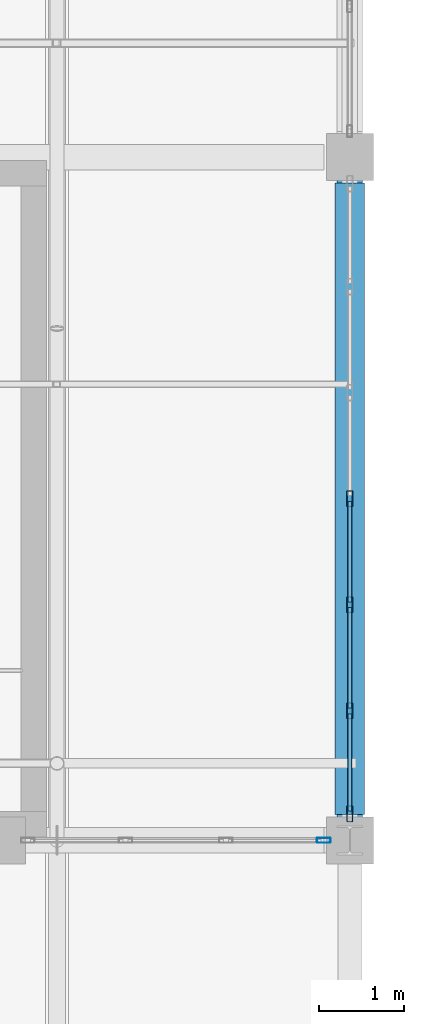
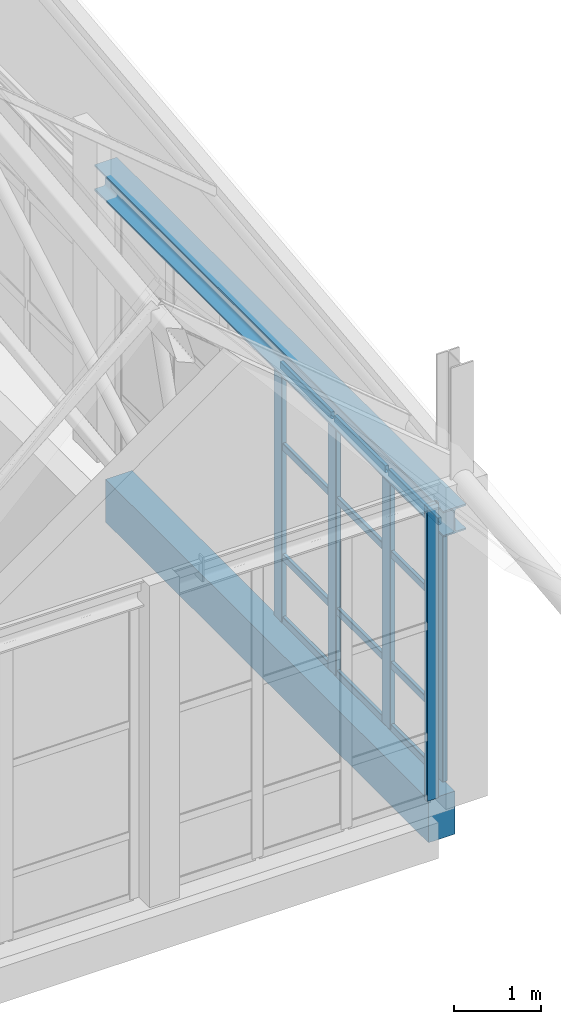
# One storey, part 85 of 183: 17 members, 2 beams, 2 elements without a shape of their own.
"""IFC4 building model written with IfcOpenShell, lengths in metres."""

from ifc_helpers import new_model, si_unit, direction, frame, origin, origin_2d, place, context, subcontext, project, spatial, rectangle, hollow_rectangle, i_section, extrude, material, material_profile, profile_set, type_object, element, aggregate, save


model = new_model("IFC4")

# Units and contexts
model_context = context("Model", 3, precision=1e-05, world=origin(), true_north=direction((0.0, 1.0)))
body_context = subcontext(model_context, "Body", "Model", "MODEL_VIEW")
ifc_project = project(units=[si_unit("LENGTHUNIT", "METRE"), si_unit("AREAUNIT", "SQUARE_METRE"), si_unit("VOLUMEUNIT", "CUBIC_METRE"), si_unit("PLANEANGLEUNIT", "RADIAN"), si_unit("MASSUNIT", "GRAM", prefix="KILO")], contexts=[model_context])

# Site, building, storey
site_placement = place(None, origin())
site = spatial("IfcSite", under=ifc_project, at=site_placement, CompositionType="ELEMENT")
building_placement = place(site_placement, origin())
building = spatial("IfcBuilding", under=site, at=building_placement, Name="Luwemba Playhouse", CompositionType="ELEMENT")
storey_placement = place(building_placement, frame((0.0, 0.0, 4.800048828125)))
storey = spatial("IfcBuildingStorey", under=building, at=storey_placement, Name="L01", CompositionType="ELEMENT", Elevation=4.800048828125)

# Beams
ifc_material_1 = material(Name="Steel S355", Category="steel")
ifc_material_profile_1 = material_profile(ifc_material_1, i_section(OverallWidth=0.300048828125, OverallDepth=0.360107421875, WebThickness=0.012451171875, FlangeThickness=0.0224609375, FilletRadius=0.027099609375, at=origin_2d()))
ifc_profile_set_1 = profile_set([ifc_material_profile_1], Name="Steel S355")
beam_type_1 = type_object("IfcBeamType", Name="BM-SB09", PredefinedType="BEAM", material=ifc_profile_set_1)
beam_1_placement = place(storey_placement, frame((172.0, 3.0, 3.780029296875), z_axis=(0.0, 1.0, 0.0), x_axis=(-1.0, 0.0, 0.0)))
element("IfcBeam", 1, at=beam_1_placement, inside=storey, type_object=beam_type_1, Name="RF-V5E gable ring beam 0306", PredefinedType="BEAM", context=body_context, shape_type="SweptSolid", body=[
    extrude(i_section(OverallWidth=0.300048828125, OverallDepth=0.360107421875, WebThickness=0.012451171875, FlangeThickness=0.0224609375, FilletRadius=0.027099609375, at=origin_2d()), origin(), (0.0, 0.0, 1.0), 8.0),
])
ifc_material_2 = material(Name="Concrete C40/50", Category="concrete")
ifc_material_profile_2 = material_profile(ifc_material_2, rectangle(XDim=0.35009765625, YDim=0.60009765625, at=origin_2d()))
ifc_profile_set_2 = profile_set([ifc_material_profile_2], Name="Concrete C40/50")
beam_type_2 = type_object("IfcBeamType", Name="BM-SP3", PredefinedType="SPANDREL", material=ifc_profile_set_2)
beam_2_placement = place(storey_placement, frame((172.0, 3.300048828125, -0.550048828125), z_axis=(0.0, 1.0, 0.0), x_axis=(-1.0, 0.0, 0.0)))
element("IfcBeam", 2, at=beam_2_placement, inside=storey, type_object=beam_type_2, Name="L01 transverse girder 0561", PredefinedType="SPANDREL", context=body_context, shape_type="SweptSolid", body=[
    extrude(rectangle(XDim=0.35009765625, YDim=0.60009765625, at=origin_2d()), origin(), (0.0, 0.0, 1.0), 7.39990234375),
])

# Curtain wall, member
ifc_material_3 = material(Name="Solar-control double glazing", Category="glass")
curtain_wall_type_1 = type_object("IfcCurtainWallType", Name="CW-CW128", PredefinedType="USERDEFINED", material=ifc_material_3)
curtain_wall_1_placement = place(storey_placement, origin())
curtain_wall_1 = element("IfcCurtainWall", 3, at=curtain_wall_1_placement, inside=storey, type_object=curtain_wall_type_1, Name="L01 V5E unitised curtain wall 170", ObjectType="UNITISED GLAZING", PredefinedType="USERDEFINED")
ifc_material_4 = material(Name="Aluminium 6063-T6", Category="aluminium")
ifc_material_profile_3 = material_profile(ifc_material_4, hollow_rectangle(XDim=0.06005859375, YDim=0.159912109375, WallThickness=0.00390625, InnerFilletRadius=0.006103515625, OuterFilletRadius=0.010009765625, at=origin_2d()))
ifc_profile_set_3 = profile_set([ifc_material_profile_3], Name="Aluminium 6063-T6")
member_type_1 = type_object("IfcMemberType", Name="CWM-M1", PredefinedType="MULLION", material=ifc_profile_set_3)
member_1_placement = place(storey_placement, frame((171.695068359375, 3.0, 0.0), z_axis=(0.0, 0.0, 1.0), x_axis=(0.0, -1.0, 0.0)))
member_1 = element("IfcMember", 4, at=member_1_placement, type_object=member_type_1, Name="CW128 mullion 1", PredefinedType="MULLION", context=body_context, shape_type="SweptSolid", body=[
    extrude(hollow_rectangle(XDim=0.06005859375, YDim=0.159912109375, WallThickness=0.00390625, InnerFilletRadius=0.006103515625, OuterFilletRadius=0.010009765625, at=origin_2d()), origin(), (0.0, 0.0, 1.0), 4.125),
])
aggregate(curtain_wall_1, [member_1])

# Curtain wall, members
curtain_wall_type_2 = type_object("IfcCurtainWallType", Name="CW-CW131", PredefinedType="USERDEFINED", material=ifc_material_3)
curtain_wall_2_placement = place(storey_placement, origin())
curtain_wall_2 = element("IfcCurtainWall", 5, at=curtain_wall_2_placement, inside=storey, type_object=curtain_wall_type_2, Name="L01 V5E unitised curtain wall 169", ObjectType="UNITISED GLAZING", PredefinedType="USERDEFINED")
ifc_material_profile_4 = material_profile(ifc_material_4, hollow_rectangle(XDim=0.070068359375, YDim=0.18994140625, WallThickness=0.0048828125, InnerFilletRadius=0.007568359375, OuterFilletRadius=0.012451171875, at=origin_2d()))
ifc_profile_set_4 = profile_set([ifc_material_profile_4], Name="Aluminium 6063-T6")
member_type_2 = type_object("IfcMemberType", Name="CWM-M4", PredefinedType="MULLION", material=ifc_profile_set_4)
member_2_placement = place(storey_placement, frame((172.0, 7.0, 0.0), z_axis=(0.0, 0.0, 1.0), x_axis=(1.0, 0.0, 0.0)))
member_2 = element("IfcMember", 6, at=member_2_placement, type_object=member_type_2, Name="CW131 mullion 4", PredefinedType="MULLION", context=body_context, shape_type="SweptSolid", body=[
    extrude(hollow_rectangle(XDim=0.070068359375, YDim=0.18994140625, WallThickness=0.0048828125, InnerFilletRadius=0.007568359375, OuterFilletRadius=0.012451171875, at=origin_2d()), origin(), (0.0, 0.0, 1.0), 3.5849609375),
])
member_3_placement = place(storey_placement, frame((172.0, 5.75830078125, 0.0), z_axis=(0.0, 0.0, 1.0), x_axis=(1.0, 0.0, 0.0)))
member_3 = element("IfcMember", 7, at=member_3_placement, type_object=member_type_2, Name="CW131 mullion 5", PredefinedType="MULLION", context=body_context, shape_type="SweptSolid", body=[
    extrude(hollow_rectangle(XDim=0.070068359375, YDim=0.18994140625, WallThickness=0.0048828125, InnerFilletRadius=0.007568359375, OuterFilletRadius=0.012451171875, at=origin_2d()), origin(), (0.0, 0.0, 1.0), 3.5849609375),
])
member_4_placement = place(storey_placement, frame((172.0, 4.5166015625, 0.0), z_axis=(0.0, 0.0, 1.0), x_axis=(1.0, 0.0, 0.0)))
member_4 = element("IfcMember", 8, at=member_4_placement, type_object=member_type_2, Name="CW131 mullion 6", PredefinedType="MULLION", context=body_context, shape_type="SweptSolid", body=[
    extrude(hollow_rectangle(XDim=0.070068359375, YDim=0.18994140625, WallThickness=0.0048828125, InnerFilletRadius=0.007568359375, OuterFilletRadius=0.012451171875, at=origin_2d()), origin(), (0.0, 0.0, 1.0), 3.5849609375),
])
member_5_placement = place(storey_placement, frame((172.0, 3.31005859375, 0.0), z_axis=(0.0, 0.0, 1.0), x_axis=(1.0, 0.0, 0.0)))
member_5 = element("IfcMember", 9, at=member_5_placement, type_object=member_type_2, Name="CW131 mullion 7", PredefinedType="MULLION", context=body_context, shape_type="SweptSolid", body=[
    extrude(hollow_rectangle(XDim=0.070068359375, YDim=0.18994140625, WallThickness=0.0048828125, InnerFilletRadius=0.007568359375, OuterFilletRadius=0.012451171875, at=origin_2d()), origin(), (0.0, 0.0, 1.0), 3.5849609375),
])
ifc_material_profile_5 = material_profile(ifc_material_4, hollow_rectangle(XDim=0.050048828125, YDim=0.10009765625, WallThickness=0.00341796875, InnerFilletRadius=0.00537109375, OuterFilletRadius=0.0087890625, at=origin_2d()))
ifc_profile_set_5 = profile_set([ifc_material_profile_5], Name="Aluminium 6063-T6")
member_type_3 = type_object("IfcMemberType", Name="CWT-T4", PredefinedType="USERDEFINED", material=ifc_profile_set_5)
member_6_placement = place(storey_placement, frame((172.0, 6.965087890625, 0.02490234375), z_axis=(0.0, -1.0, 0.0), x_axis=(1.0, 0.0, 0.0)))
member_6 = element("IfcMember", 10, at=member_6_placement, type_object=member_type_3, Name="CW131 transom 4.1", ObjectType="TRANSOM", PredefinedType="USERDEFINED", context=body_context, shape_type="SweptSolid", body=[
    extrude(hollow_rectangle(XDim=0.050048828125, YDim=0.10009765625, WallThickness=0.00341796875, InnerFilletRadius=0.00537109375, OuterFilletRadius=0.0087890625, at=origin_2d()), origin(), (0.0, 0.0, 1.0), 1.171875),
])
member_7_placement = place(storey_placement, frame((172.0, 6.965087890625, 0.89990234375), z_axis=(0.0, -1.0, 0.0), x_axis=(1.0, 0.0, 0.0)))
member_7 = element("IfcMember", 11, at=member_7_placement, type_object=member_type_3, Name="CW131 transom 4.2", ObjectType="TRANSOM", PredefinedType="USERDEFINED", context=body_context, shape_type="SweptSolid", body=[
    extrude(hollow_rectangle(XDim=0.050048828125, YDim=0.10009765625, WallThickness=0.00341796875, InnerFilletRadius=0.00537109375, OuterFilletRadius=0.0087890625, at=origin_2d()), origin(), (0.0, 0.0, 1.0), 1.171875),
])
member_8_placement = place(storey_placement, frame((172.0, 6.965087890625, 2.449951171875), z_axis=(0.0, -1.0, 0.0), x_axis=(1.0, 0.0, 0.0)))
member_8 = element("IfcMember", 12, at=member_8_placement, type_object=member_type_3, Name="CW131 transom 4.3", ObjectType="TRANSOM", PredefinedType="USERDEFINED", context=body_context, shape_type="SweptSolid", body=[
    extrude(hollow_rectangle(XDim=0.050048828125, YDim=0.10009765625, WallThickness=0.00341796875, InnerFilletRadius=0.00537109375, OuterFilletRadius=0.0087890625, at=origin_2d()), origin(), (0.0, 0.0, 1.0), 1.171875),
])
member_9_placement = place(storey_placement, frame((172.0, 6.965087890625, 3.56005859375), z_axis=(0.0, -1.0, 0.0), x_axis=(1.0, 0.0, 0.0)))
member_9 = element("IfcMember", 13, at=member_9_placement, type_object=member_type_3, Name="CW131 transom 4.4", ObjectType="TRANSOM", PredefinedType="USERDEFINED", context=body_context, shape_type="SweptSolid", body=[
    extrude(hollow_rectangle(XDim=0.050048828125, YDim=0.10009765625, WallThickness=0.00341796875, InnerFilletRadius=0.00537109375, OuterFilletRadius=0.0087890625, at=origin_2d()), origin(), (0.0, 0.0, 1.0), 1.171875),
])
member_10_placement = place(storey_placement, frame((172.0, 5.723388671875, 0.02490234375), z_axis=(0.0, -1.0, 0.0), x_axis=(1.0, 0.0, 0.0)))
member_10 = element("IfcMember", 14, at=member_10_placement, type_object=member_type_3, Name="CW131 transom 5.1", ObjectType="TRANSOM", PredefinedType="USERDEFINED", context=body_context, shape_type="SweptSolid", body=[
    extrude(hollow_rectangle(XDim=0.050048828125, YDim=0.10009765625, WallThickness=0.00341796875, InnerFilletRadius=0.00537109375, OuterFilletRadius=0.0087890625, at=origin_2d()), origin(), (0.0, 0.0, 1.0), 1.171630859375),
])
member_11_placement = place(storey_placement, frame((172.0, 5.723388671875, 0.89990234375), z_axis=(0.0, -1.0, 0.0), x_axis=(1.0, 0.0, 0.0)))
member_11 = element("IfcMember", 15, at=member_11_placement, type_object=member_type_3, Name="CW131 transom 5.2", ObjectType="TRANSOM", PredefinedType="USERDEFINED", context=body_context, shape_type="SweptSolid", body=[
    extrude(hollow_rectangle(XDim=0.050048828125, YDim=0.10009765625, WallThickness=0.00341796875, InnerFilletRadius=0.00537109375, OuterFilletRadius=0.0087890625, at=origin_2d()), origin(), (0.0, 0.0, 1.0), 1.171630859375),
])
member_12_placement = place(storey_placement, frame((172.0, 5.723388671875, 2.449951171875), z_axis=(0.0, -1.0, 0.0), x_axis=(1.0, 0.0, 0.0)))
member_12 = element("IfcMember", 16, at=member_12_placement, type_object=member_type_3, Name="CW131 transom 5.3", ObjectType="TRANSOM", PredefinedType="USERDEFINED", context=body_context, shape_type="SweptSolid", body=[
    extrude(hollow_rectangle(XDim=0.050048828125, YDim=0.10009765625, WallThickness=0.00341796875, InnerFilletRadius=0.00537109375, OuterFilletRadius=0.0087890625, at=origin_2d()), origin(), (0.0, 0.0, 1.0), 1.171630859375),
])
member_13_placement = place(storey_placement, frame((172.0, 5.723388671875, 3.56005859375), z_axis=(0.0, -1.0, 0.0), x_axis=(1.0, 0.0, 0.0)))
member_13 = element("IfcMember", 17, at=member_13_placement, type_object=member_type_3, Name="CW131 transom 5.4", ObjectType="TRANSOM", PredefinedType="USERDEFINED", context=body_context, shape_type="SweptSolid", body=[
    extrude(hollow_rectangle(XDim=0.050048828125, YDim=0.10009765625, WallThickness=0.00341796875, InnerFilletRadius=0.00537109375, OuterFilletRadius=0.0087890625, at=origin_2d()), origin(), (0.0, 0.0, 1.0), 1.171630859375),
])
member_14_placement = place(storey_placement, frame((172.0, 4.481689453125, 0.02490234375), z_axis=(0.0, -1.0, 0.0), x_axis=(1.0, 0.0, 0.0)))
member_14 = element("IfcMember", 18, at=member_14_placement, type_object=member_type_3, Name="CW131 transom 6.1", ObjectType="TRANSOM", PredefinedType="USERDEFINED", context=body_context, shape_type="SweptSolid", body=[
    extrude(hollow_rectangle(XDim=0.050048828125, YDim=0.10009765625, WallThickness=0.00341796875, InnerFilletRadius=0.00537109375, OuterFilletRadius=0.0087890625, at=origin_2d()), origin(), (0.0, 0.0, 1.0), 1.13671875),
])
member_15_placement = place(storey_placement, frame((172.0, 4.481689453125, 0.89990234375), z_axis=(0.0, -1.0, 0.0), x_axis=(1.0, 0.0, 0.0)))
member_15 = element("IfcMember", 19, at=member_15_placement, type_object=member_type_3, Name="CW131 transom 6.2", ObjectType="TRANSOM", PredefinedType="USERDEFINED", context=body_context, shape_type="SweptSolid", body=[
    extrude(hollow_rectangle(XDim=0.050048828125, YDim=0.10009765625, WallThickness=0.00341796875, InnerFilletRadius=0.00537109375, OuterFilletRadius=0.0087890625, at=origin_2d()), origin(), (0.0, 0.0, 1.0), 1.13671875),
])
member_16_placement = place(storey_placement, frame((172.0, 4.481689453125, 2.449951171875), z_axis=(0.0, -1.0, 0.0), x_axis=(1.0, 0.0, 0.0)))
member_16 = element("IfcMember", 20, at=member_16_placement, type_object=member_type_3, Name="CW131 transom 6.3", ObjectType="TRANSOM", PredefinedType="USERDEFINED", context=body_context, shape_type="SweptSolid", body=[
    extrude(hollow_rectangle(XDim=0.050048828125, YDim=0.10009765625, WallThickness=0.00341796875, InnerFilletRadius=0.00537109375, OuterFilletRadius=0.0087890625, at=origin_2d()), origin(), (0.0, 0.0, 1.0), 1.13671875),
])
member_17_placement = place(storey_placement, frame((172.0, 4.481689453125, 3.56005859375), z_axis=(0.0, -1.0, 0.0), x_axis=(1.0, 0.0, 0.0)))
member_17 = element("IfcMember", 21, at=member_17_placement, type_object=member_type_3, Name="CW131 transom 6.4", ObjectType="TRANSOM", PredefinedType="USERDEFINED", context=body_context, shape_type="SweptSolid", body=[
    extrude(hollow_rectangle(XDim=0.050048828125, YDim=0.10009765625, WallThickness=0.00341796875, InnerFilletRadius=0.00537109375, OuterFilletRadius=0.0087890625, at=origin_2d()), origin(), (0.0, 0.0, 1.0), 1.13671875),
])
aggregate(curtain_wall_2, [member_2, member_3, member_4, member_5, member_6, member_7, member_8, member_9, member_10, member_11, member_12, member_13, member_14, member_15, member_16, member_17])

save(model, "model.ifc")
